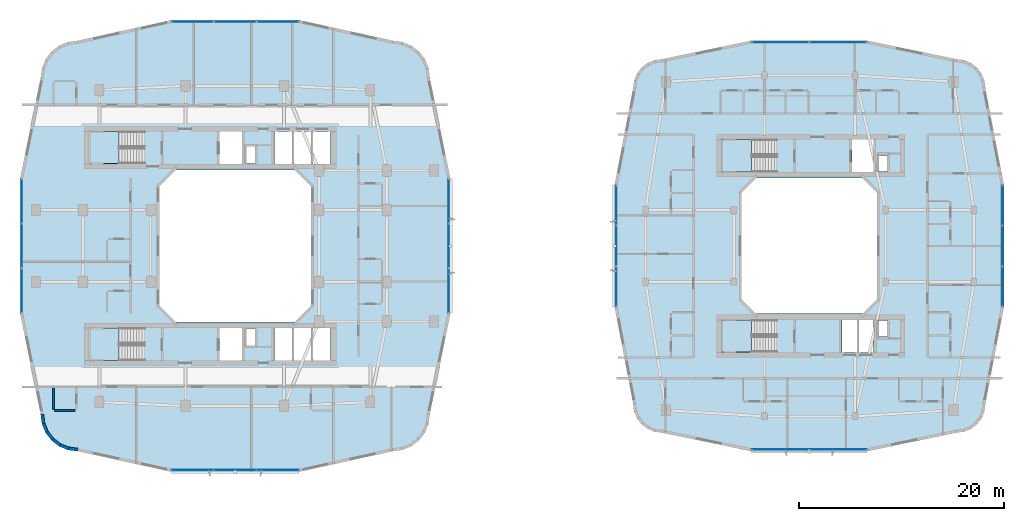
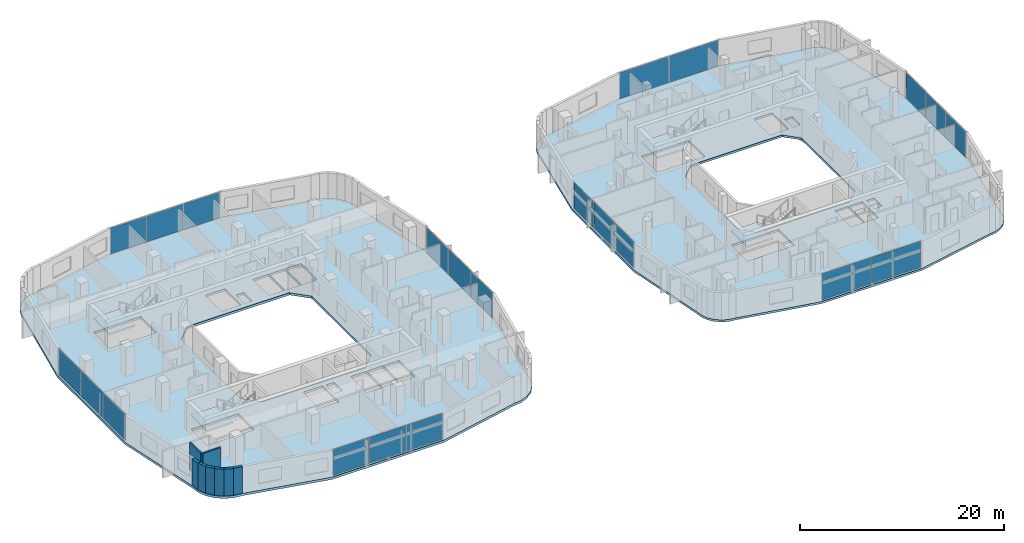
# One storey, part 12 of 27: 22 plates, 8 walls, 6 slabs, 12 elements without a shape of their own.
"""IFC4 building model written with IfcOpenShell, lengths in metres."""

from ifc_helpers import new_model, si_unit, derived_unit, direction, frame, frame_2d, origin, origin_2d, place, context, subcontext, project, spatial, polyline, rectangle, outline, extrude, material, layer, layer_set, type_object, element, aggregate, save


model = new_model("IFC4")

# Units and contexts
model_context = context("Model", 3, precision=1e-05, world=origin(), true_north=direction((0.0, 1.0)))
body_context = subcontext(model_context, "Body", "Model", "MODEL_VIEW")
ifc_project = project(units=[si_unit("LENGTHUNIT", "METRE"), si_unit("AREAUNIT", "SQUARE_METRE"), si_unit("VOLUMEUNIT", "CUBIC_METRE"), si_unit("PLANEANGLEUNIT", "RADIAN"), si_unit("MASSUNIT", "GRAM", prefix="KILO"), derived_unit("THERMALTRANSMITTANCEUNIT", [(si_unit("POWERUNIT", "WATT"), 1), (si_unit("LENGTHUNIT", "METRE"), -2), (si_unit("THERMODYNAMICTEMPERATUREUNIT", "KELVIN"), -1)])], contexts=[model_context])

# Site, building, storey
site_placement = place(None, origin())
site = spatial("IfcSite", under=ifc_project, at=site_placement, CompositionType="ELEMENT")
building_placement = place(site_placement, origin())
building = spatial("IfcBuilding", under=site, at=building_placement, Name="Kivonza Crest Hotel", CompositionType="ELEMENT")
storey_placement = place(building_placement, frame((0.0, 0.0, 73.0)))
storey = spatial("IfcBuildingStorey", under=building, at=storey_placement, Name="L19", CompositionType="ELEMENT", Elevation=73.0)

# Curtain wall, plates
ifc_material_1 = material(Name="Anodised bronze aluminium and low-E double glazing", Category="aluminium")
ifc_layer_1 = layer(ifc_material_1, 0.179931640625)
ifc_layer_set_1 = layer_set([ifc_layer_1], Name="Anodised bronze aluminium and low-E double glazing")
curtain_wall_type_1 = type_object("IfcCurtainWallType", Name="CW-SYS-2", PredefinedType="NOTDEFINED", material=ifc_layer_set_1)
curtain_wall_1_placement = place(storey_placement, origin())
curtain_wall_1 = element("IfcCurtainWall", 1, at=curtain_wall_1_placement, inside=storey, type_object=curtain_wall_type_1, Name="L19 unitised curtain wall CW-T1-L19-08", PredefinedType="NOTDEFINED")
ifc_material_2 = material(Name="Solar-control low-E double glazing", Category="glass")
ifc_layer_2 = layer(ifc_material_2, 0.028076171875)
ifc_layer_set_2 = layer_set([ifc_layer_2], Name="Solar-control low-E double glazing")
plate_type = type_object("IfcPlateType", Name="CW-PNL-28", PredefinedType="CURTAIN_PANEL", material=ifc_layer_set_2)
plate_1_placement = place(storey_placement, frame((16.890869140625, 3.159912109375, 0.06494140625), z_axis=(0.0, 0.0, 1.0), x_axis=(1.0, 0.0, 0.0)))
plate_1 = element("IfcPlate", 2, at=plate_1_placement, type_object=plate_type, Name="CW-2 panel 1.1", PredefinedType="CURTAIN_PANEL", context=body_context, shape_type="SweptSolid", body=[
    extrude(rectangle(XDim=4.06787109375, YDim=0.028076171875, at=origin_2d()), origin(), (0.0, 0.0, 1.0), 3.090087890625),
])
plate_2_placement = place(storey_placement, frame((21.0400390625, 3.159912109375, 0.06494140625), z_axis=(0.0, 0.0, 1.0), x_axis=(1.0, 0.0, 0.0)))
plate_2 = element("IfcPlate", 3, at=plate_2_placement, type_object=plate_type, Name="CW-2 panel 2.1", PredefinedType="CURTAIN_PANEL", context=body_context, shape_type="SweptSolid", body=[
    extrude(rectangle(XDim=4.100341796875, YDim=0.028076171875, at=origin_2d()), origin(), (0.0, 0.0, 1.0), 3.090087890625),
])
plate_3_placement = place(storey_placement, frame((25.18896484375, 3.159912109375, 0.06494140625), z_axis=(0.0, 0.0, 1.0), x_axis=(1.0, 0.0, 0.0)))
plate_3 = element("IfcPlate", 4, at=plate_3_placement, type_object=plate_type, Name="CW-2 panel 3.1", PredefinedType="CURTAIN_PANEL", context=body_context, shape_type="SweptSolid", body=[
    extrude(rectangle(XDim=4.06787109375, YDim=0.028076171875, at=origin_2d()), origin(), (0.0, 0.0, 1.0), 3.090087890625),
])
aggregate(curtain_wall_1, [plate_1, plate_2, plate_3])

curtain_wall_2_placement = place(storey_placement, origin())
curtain_wall_2 = element("IfcCurtainWall", 5, at=curtain_wall_2_placement, inside=storey, type_object=curtain_wall_type_1, Name="L19 unitised curtain wall CW-T1-L19-17", PredefinedType="NOTDEFINED")
plate_4_placement = place(storey_placement, frame((41.840087890625, 20.642822265625, 0.06494140625), z_axis=(0.0, 0.0, 1.0), x_axis=(0.0, 1.0, 0.0)))
plate_4 = element("IfcPlate", 6, at=plate_4_placement, type_object=plate_type, Name="CW-2 panel 1.1", PredefinedType="CURTAIN_PANEL", context=body_context, shape_type="SweptSolid", body=[
    extrude(rectangle(XDim=4.27587890625, YDim=0.028076171875, at=origin_2d()), origin(), (0.0, 0.0, 1.0), 3.090087890625),
])
plate_5_placement = place(storey_placement, frame((41.840087890625, 25.0, 0.06494140625), z_axis=(0.0, 0.0, 1.0), x_axis=(0.0, 1.0, 0.0)))
plate_5 = element("IfcPlate", 7, at=plate_5_placement, type_object=plate_type, Name="CW-2 panel 2.1", PredefinedType="CURTAIN_PANEL", context=body_context, shape_type="SweptSolid", body=[
    extrude(rectangle(XDim=4.308349609375, YDim=0.028076171875, at=origin_2d()), origin(), (0.0, 0.0, 1.0), 3.090087890625),
])
plate_6_placement = place(storey_placement, frame((41.840087890625, 29.357177734375, 0.06494140625), z_axis=(0.0, 0.0, 1.0), x_axis=(0.0, 1.0, 0.0)))
plate_6 = element("IfcPlate", 8, at=plate_6_placement, type_object=plate_type, Name="CW-2 panel 3.1", PredefinedType="CURTAIN_PANEL", context=body_context, shape_type="SweptSolid", body=[
    extrude(rectangle(XDim=4.27587890625, YDim=0.028076171875, at=origin_2d()), origin(), (0.0, 0.0, 1.0), 3.090087890625),
])
aggregate(curtain_wall_2, [plate_4, plate_5, plate_6])

curtain_wall_3_placement = place(storey_placement, origin())
curtain_wall_3 = element("IfcCurtainWall", 9, at=curtain_wall_3_placement, inside=storey, type_object=curtain_wall_type_1, Name="L19 unitised curtain wall CW-T1-L19-26", PredefinedType="NOTDEFINED")
plate_7_placement = place(storey_placement, frame((25.18896484375, 46.840087890625, 0.06494140625), z_axis=(0.0, 0.0, 1.0), x_axis=(-1.0, 0.0, 0.0)))
plate_7 = element("IfcPlate", 10, at=plate_7_placement, type_object=plate_type, Name="CW-2 panel 1.1", PredefinedType="CURTAIN_PANEL", context=body_context, shape_type="SweptSolid", body=[
    extrude(rectangle(XDim=4.06787109375, YDim=0.028076171875, at=origin_2d()), origin(), (0.0, 0.0, 1.0), 3.090087890625),
])
plate_8_placement = place(storey_placement, frame((21.0400390625, 46.840087890625, 0.06494140625), z_axis=(0.0, 0.0, 1.0), x_axis=(-1.0, 0.0, 0.0)))
plate_8 = element("IfcPlate", 11, at=plate_8_placement, type_object=plate_type, Name="CW-2 panel 2.1", PredefinedType="CURTAIN_PANEL", context=body_context, shape_type="SweptSolid", body=[
    extrude(rectangle(XDim=4.100341796875, YDim=0.028076171875, at=origin_2d()), origin(), (0.0, 0.0, 1.0), 3.090087890625),
])
plate_9_placement = place(storey_placement, frame((16.890869140625, 46.840087890625, 0.06494140625), z_axis=(0.0, 0.0, 1.0), x_axis=(-1.0, 0.0, 0.0)))
plate_9 = element("IfcPlate", 12, at=plate_9_placement, type_object=plate_type, Name="CW-2 panel 3.1", PredefinedType="CURTAIN_PANEL", context=body_context, shape_type="SweptSolid", body=[
    extrude(rectangle(XDim=4.06787109375, YDim=0.028076171875, at=origin_2d()), origin(), (0.0, 0.0, 1.0), 3.090087890625),
])
aggregate(curtain_wall_3, [plate_7, plate_8, plate_9])

curtain_wall_4_placement = place(storey_placement, origin())
curtain_wall_4 = element("IfcCurtainWall", 13, at=curtain_wall_4_placement, inside=storey, type_object=curtain_wall_type_1, Name="L19 unitised curtain wall CW-T1-L19-35", PredefinedType="NOTDEFINED")
plate_10_placement = place(storey_placement, frame((0.239990234375, 29.357177734375, 0.06494140625), z_axis=(0.0, 0.0, 1.0), x_axis=(0.0, -1.0, 0.0)))
plate_10 = element("IfcPlate", 14, at=plate_10_placement, type_object=plate_type, Name="CW-2 panel 1.1", PredefinedType="CURTAIN_PANEL", context=body_context, shape_type="SweptSolid", body=[
    extrude(rectangle(XDim=4.27587890625, YDim=0.028076171875, at=origin_2d()), origin(), (0.0, 0.0, 1.0), 3.090087890625),
])
plate_11_placement = place(storey_placement, frame((0.239990234375, 25.0, 0.06494140625), z_axis=(0.0, 0.0, 1.0), x_axis=(0.0, -1.0, 0.0)))
plate_11 = element("IfcPlate", 15, at=plate_11_placement, type_object=plate_type, Name="CW-2 panel 2.1", PredefinedType="CURTAIN_PANEL", context=body_context, shape_type="SweptSolid", body=[
    extrude(rectangle(XDim=4.308349609375, YDim=0.028076171875, at=origin_2d()), origin(), (0.0, 0.0, 1.0), 3.090087890625),
])
plate_12_placement = place(storey_placement, frame((0.239990234375, 20.642822265625, 0.06494140625), z_axis=(0.0, 0.0, 1.0), x_axis=(0.0, -1.0, 0.0)))
plate_12 = element("IfcPlate", 16, at=plate_12_placement, type_object=plate_type, Name="CW-2 panel 3.1", PredefinedType="CURTAIN_PANEL", context=body_context, shape_type="SweptSolid", body=[
    extrude(rectangle(XDim=4.27587890625, YDim=0.028076171875, at=origin_2d()), origin(), (0.0, 0.0, 1.0), 3.090087890625),
])
aggregate(curtain_wall_4, [plate_10, plate_11, plate_12])

ifc_layer_3 = layer(ifc_material_1, 0.179931640625)
ifc_layer_set_3 = layer_set([ifc_layer_3], Name="Anodised bronze aluminium and low-E double glazing")
curtain_wall_type_2 = type_object("IfcCurtainWallType", Name="CW-SYS-4", PredefinedType="NOTDEFINED", material=ifc_layer_set_3)
curtain_wall_5_placement = place(storey_placement, origin())
curtain_wall_5 = element("IfcCurtainWall", 17, at=curtain_wall_5_placement, inside=storey, type_object=curtain_wall_type_2, Name="L19 unitised curtain wall CW-T2-L19-08", PredefinedType="NOTDEFINED")
plate_13_placement = place(storey_placement, frame((74.15234375, 5.159912109375, 0.06494140625), z_axis=(0.0, 0.0, 1.0), x_axis=(1.0, 0.0, 0.0)))
plate_13 = element("IfcPlate", 18, at=plate_13_placement, type_object=plate_type, Name="CW-4 panel 1.1", PredefinedType="CURTAIN_PANEL", context=body_context, shape_type="SweptSolid", body=[
    extrude(rectangle(XDim=5.550537109375, YDim=0.028076171875, at=origin_2d()), origin(), (0.0, 0.0, 1.0), 3.1201171875),
])
plate_14_placement = place(storey_placement, frame((79.767822265625, 5.159912109375, 0.06494140625), z_axis=(0.0, 0.0, 1.0), x_axis=(1.0, 0.0, 0.0)))
plate_14 = element("IfcPlate", 19, at=plate_14_placement, type_object=plate_type, Name="CW-4 panel 2.1", PredefinedType="CURTAIN_PANEL", context=body_context, shape_type="SweptSolid", body=[
    extrude(rectangle(XDim=5.550537109375, YDim=0.028076171875, at=origin_2d()), origin(), (0.0, 0.0, 1.0), 3.1201171875),
])
aggregate(curtain_wall_5, [plate_13, plate_14])

curtain_wall_6_placement = place(storey_placement, origin())
curtain_wall_6 = element("IfcCurtainWall", 20, at=curtain_wall_6_placement, inside=storey, type_object=curtain_wall_type_2, Name="L19 unitised curtain wall CW-T2-L19-17", PredefinedType="NOTDEFINED")
plate_15_placement = place(storey_placement, frame((95.760009765625, 21.04296875, 0.06494140625), z_axis=(0.0, 0.0, 1.0), x_axis=(0.0, 1.0, 0.0)))
plate_15 = element("IfcPlate", 21, at=plate_15_placement, type_object=plate_type, Name="CW-4 panel 1.1", PredefinedType="CURTAIN_PANEL", context=body_context, shape_type="SweptSolid", body=[
    extrude(rectangle(XDim=3.875732421875, YDim=0.028076171875, at=origin_2d()), origin(), (0.0, 0.0, 1.0), 3.1201171875),
])
plate_16_placement = place(storey_placement, frame((95.760009765625, 25.0, 0.06494140625), z_axis=(0.0, 0.0, 1.0), x_axis=(0.0, 1.0, 0.0)))
plate_16 = element("IfcPlate", 22, at=plate_16_placement, type_object=plate_type, Name="CW-4 panel 2.1", PredefinedType="CURTAIN_PANEL", context=body_context, shape_type="SweptSolid", body=[
    extrude(rectangle(XDim=3.908447265625, YDim=0.028076171875, at=origin_2d()), origin(), (0.0, 0.0, 1.0), 3.1201171875),
])
plate_17_placement = place(storey_placement, frame((95.760009765625, 28.95703125, 0.06494140625), z_axis=(0.0, 0.0, 1.0), x_axis=(0.0, 1.0, 0.0)))
plate_17 = element("IfcPlate", 23, at=plate_17_placement, type_object=plate_type, Name="CW-4 panel 3.1", PredefinedType="CURTAIN_PANEL", context=body_context, shape_type="SweptSolid", body=[
    extrude(rectangle(XDim=3.875732421875, YDim=0.028076171875, at=origin_2d()), origin(), (0.0, 0.0, 1.0), 3.1201171875),
])
aggregate(curtain_wall_6, [plate_15, plate_16, plate_17])

curtain_wall_7_placement = place(storey_placement, origin())
curtain_wall_7 = element("IfcCurtainWall", 24, at=curtain_wall_7_placement, inside=storey, type_object=curtain_wall_type_2, Name="L19 unitised curtain wall CW-T2-L19-26", PredefinedType="NOTDEFINED")
plate_18_placement = place(storey_placement, frame((79.767822265625, 44.840087890625, 0.06494140625), z_axis=(0.0, 0.0, 1.0), x_axis=(-1.0, 0.0, 0.0)))
plate_18 = element("IfcPlate", 25, at=plate_18_placement, type_object=plate_type, Name="CW-4 panel 1.1", PredefinedType="CURTAIN_PANEL", context=body_context, shape_type="SweptSolid", body=[
    extrude(rectangle(XDim=5.550537109375, YDim=0.028076171875, at=origin_2d()), origin(), (0.0, 0.0, 1.0), 3.1201171875),
])
plate_19_placement = place(storey_placement, frame((74.15234375, 44.840087890625, 0.06494140625), z_axis=(0.0, 0.0, 1.0), x_axis=(-1.0, 0.0, 0.0)))
plate_19 = element("IfcPlate", 26, at=plate_19_placement, type_object=plate_type, Name="CW-4 panel 2.1", PredefinedType="CURTAIN_PANEL", context=body_context, shape_type="SweptSolid", body=[
    extrude(rectangle(XDim=5.550537109375, YDim=0.028076171875, at=origin_2d()), origin(), (0.0, 0.0, 1.0), 3.1201171875),
])
aggregate(curtain_wall_7, [plate_18, plate_19])

curtain_wall_8_placement = place(storey_placement, origin())
curtain_wall_8 = element("IfcCurtainWall", 27, at=curtain_wall_8_placement, inside=storey, type_object=curtain_wall_type_2, Name="L19 unitised curtain wall CW-T2-L19-35", PredefinedType="NOTDEFINED")
plate_20_placement = place(storey_placement, frame((58.159912109375, 28.95703125, 0.06494140625), z_axis=(0.0, 0.0, 1.0), x_axis=(0.0, -1.0, 0.0)))
plate_20 = element("IfcPlate", 28, at=plate_20_placement, type_object=plate_type, Name="CW-4 panel 1.1", PredefinedType="CURTAIN_PANEL", context=body_context, shape_type="SweptSolid", body=[
    extrude(rectangle(XDim=3.875732421875, YDim=0.028076171875, at=origin_2d()), origin(), (0.0, 0.0, 1.0), 3.1201171875),
])
plate_21_placement = place(storey_placement, frame((58.159912109375, 25.0, 0.06494140625), z_axis=(0.0, 0.0, 1.0), x_axis=(0.0, -1.0, 0.0)))
plate_21 = element("IfcPlate", 29, at=plate_21_placement, type_object=plate_type, Name="CW-4 panel 2.1", PredefinedType="CURTAIN_PANEL", context=body_context, shape_type="SweptSolid", body=[
    extrude(rectangle(XDim=3.908447265625, YDim=0.028076171875, at=origin_2d()), origin(), (0.0, 0.0, 1.0), 3.1201171875),
])
plate_22_placement = place(storey_placement, frame((58.159912109375, 21.04296875, 0.06494140625), z_axis=(0.0, 0.0, 1.0), x_axis=(0.0, -1.0, 0.0)))
plate_22 = element("IfcPlate", 30, at=plate_22_placement, type_object=plate_type, Name="CW-4 panel 3.1", PredefinedType="CURTAIN_PANEL", context=body_context, shape_type="SweptSolid", body=[
    extrude(rectangle(XDim=3.875732421875, YDim=0.028076171875, at=origin_2d()), origin(), (0.0, 0.0, 1.0), 3.1201171875),
])
aggregate(curtain_wall_8, [plate_20, plate_21, plate_22])

# Slab
ifc_material_3 = material(Name="Concrete C40/50", Category="concrete")
ifc_layer_4 = layer(ifc_material_3, 0.280029296875)
ifc_layer_set_4 = layer_set([ifc_layer_4], Name="Concrete C40/50")
slab_type_1 = type_object("IfcSlabType", Name="SL-HTL-280", PredefinedType="FLOOR", material=ifc_layer_set_4)
slab_1_placement = place(storey_placement, frame((0.0, 0.0, -0.280029296875)))
element("IfcSlab", 31, at=slab_1_placement, inside=storey, type_object=slab_type_1, Name="Tower T1 L19 floor slab", PredefinedType="FLOOR", context=body_context, shape_type="SweptSolid", body=[
    extrude(outline(polyline([(2.080078125, 8.60009765625), (2.202880859375, 7.66796875), (2.56201171875, 6.800048828125), (3.134033203125, 6.053955078125), (3.8798828125, 5.48193359375), (4.748046875, 5.123046875), (5.679931640625, 5.0), (14.751953125, 3.0), (27.327880859375, 3.0), (36.39990234375, 5.0), (37.33203125, 5.123046875), (38.199951171875, 5.48193359375), (38.946044921875, 6.053955078125), (39.51806640625, 6.800048828125), (39.876953125, 7.66796875), (40.0, 8.60009765625), (42.0, 18.39990234375), (42.0, 31.60009765625), (40.0, 41.39990234375), (39.876953125, 42.33203125), (39.51806640625, 43.199951171875), (38.946044921875, 43.946044921875), (38.199951171875, 44.51806640625), (37.33203125, 44.876953125), (36.39990234375, 45.0), (27.327880859375, 47.0), (14.751953125, 47.0), (5.679931640625, 45.0), (4.748046875, 44.876953125), (3.8798828125, 44.51806640625), (3.134033203125, 43.946044921875), (2.56201171875, 43.199951171875), (2.202880859375, 42.33203125), (2.080078125, 41.39990234375), (0.080078125, 31.60009765625), (0.080078125, 18.39990234375), (2.080078125, 8.60009765625)]), holes=[polyline([(15.239990234375, 17.60009765625), (26.840087890625, 17.60009765625), (28.43994140625, 19.199951171875), (28.43994140625, 30.800048828125), (26.840087890625, 32.39990234375), (15.239990234375, 32.39990234375), (13.639892578125, 30.800048828125), (13.639892578125, 19.199951171875), (15.239990234375, 17.60009765625)]), polyline([(6.800048828125, 33.02001953125), (12.159912109375, 33.02001953125), (12.159912109375, 36.159912109375), (6.800048828125, 36.159912109375), (6.800048828125, 33.02001953125)]), polyline([(6.800048828125, 13.860107421875), (12.159912109375, 13.860107421875), (12.159912109375, 17.0), (6.800048828125, 17.0), (6.800048828125, 13.860107421875)]), polyline([(22.080078125, 33.0400390625), (22.969970703125, 33.0400390625), (22.969970703125, 34.679931640625), (22.080078125, 34.679931640625), (22.080078125, 33.0400390625)]), polyline([(22.080078125, 15.320068359375), (22.969970703125, 15.320068359375), (22.969970703125, 16.9599609375), (22.080078125, 16.9599609375), (22.080078125, 15.320068359375)]), polyline([(19.5, 33.0), (21.699951171875, 33.0), (21.699951171875, 36.159912109375), (19.5, 36.159912109375), (19.5, 33.0)]), polyline([(24.860107421875, 33.0), (26.60693359375, 33.0), (26.60693359375, 36.159912109375), (24.860107421875, 36.159912109375), (24.860107421875, 33.0)]), polyline([(26.72705078125, 33.0), (28.472900390625, 33.0), (28.472900390625, 36.159912109375), (26.72705078125, 36.159912109375), (26.72705078125, 33.0)]), polyline([(28.593017578125, 33.0), (30.340087890625, 33.0), (30.340087890625, 36.159912109375), (28.593017578125, 36.159912109375), (28.593017578125, 33.0)]), polyline([(19.5, 13.840087890625), (21.699951171875, 13.840087890625), (21.699951171875, 17.0), (19.5, 17.0), (19.5, 13.840087890625)]), polyline([(24.860107421875, 13.840087890625), (26.60693359375, 13.840087890625), (26.60693359375, 17.0), (24.860107421875, 17.0), (24.860107421875, 13.840087890625)]), polyline([(26.72705078125, 13.840087890625), (28.472900390625, 13.840087890625), (28.472900390625, 17.0), (26.72705078125, 17.0), (26.72705078125, 13.840087890625)]), polyline([(28.593017578125, 13.840087890625), (30.340087890625, 13.840087890625), (30.340087890625, 17.0), (28.593017578125, 17.0), (28.593017578125, 13.840087890625)])]), origin(), (0.0, 0.0, 1.0), 0.280029296875),
])

# Stair, slab
stair_type = type_object("IfcStairType", Name="ST-DL-20R", PredefinedType="HALF_TURN_STAIR", material=ifc_material_3)
stair_1_placement = place(storey_placement, origin())
stair_1 = element("IfcStair", 32, at=stair_1_placement, inside=storey, type_object=stair_type, Name="L19 Protected Exit Stair ST-T1-N", PredefinedType="HALF_TURN_STAIR")
ifc_layer_5 = layer(ifc_material_3, 0.199951171875)
ifc_layer_set_5 = layer_set([ifc_layer_5], Name="Concrete C40/50")
slab_type_2 = type_object("IfcSlabType", Name="SL-LAND-200", PredefinedType="LANDING", material=ifc_layer_set_5)
slab_2_placement = place(storey_placement, frame((0.0, 0.0, 1.550048828125)))
slab_2 = element("IfcSlab", 33, at=slab_2_placement, type_object=slab_type_2, Name="ST-T1-N landing 1", PredefinedType="LANDING", context=body_context, shape_type="SweptSolid", body=[
    extrude(outline(polyline([(9.719970703125, 36.159912109375), (6.800048828125, 36.159912109375), (6.800048828125, 33.02001953125), (9.719970703125, 33.02001953125), (9.719970703125, 36.159912109375)])), origin(), (0.0, 0.0, 1.0), 0.199951171875),
])
aggregate(stair_1, [slab_2])

stair_2_placement = place(storey_placement, origin())
stair_2 = element("IfcStair", 34, at=stair_2_placement, inside=storey, type_object=stair_type, Name="L19 Protected Exit Stair ST-T1-S", PredefinedType="HALF_TURN_STAIR")
slab_3_placement = place(storey_placement, frame((0.0, 0.0, 1.550048828125)))
slab_3 = element("IfcSlab", 35, at=slab_3_placement, type_object=slab_type_2, Name="ST-T1-S landing 1", PredefinedType="LANDING", context=body_context, shape_type="SweptSolid", body=[
    extrude(outline(polyline([(9.719970703125, 17.0), (6.800048828125, 17.0), (6.800048828125, 13.860107421875), (9.719970703125, 13.860107421875), (9.719970703125, 17.0)])), origin(), (0.0, 0.0, 1.0), 0.199951171875),
])
aggregate(stair_2, [slab_3])

stair_3_placement = place(storey_placement, origin())
stair_3 = element("IfcStair", 36, at=stair_3_placement, inside=storey, type_object=stair_type, Name="L19 Protected Exit Stair ST-T2-N", PredefinedType="HALF_TURN_STAIR")
slab_4_placement = place(storey_placement, frame((0.0, 0.0, 1.550048828125)))
slab_4 = element("IfcSlab", 37, at=slab_4_placement, type_object=slab_type_2, Name="ST-T2-N landing 1", PredefinedType="LANDING", context=body_context, shape_type="SweptSolid", body=[
    extrude(outline(polyline([(71.320068359375, 35.360107421875), (68.39990234375, 35.360107421875), (68.39990234375, 32.219970703125), (71.320068359375, 32.219970703125), (71.320068359375, 35.360107421875)])), origin(), (0.0, 0.0, 1.0), 0.199951171875),
])
aggregate(stair_3, [slab_4])

stair_4_placement = place(storey_placement, origin())
stair_4 = element("IfcStair", 38, at=stair_4_placement, inside=storey, type_object=stair_type, Name="L19 Protected Exit Stair ST-T2-S", PredefinedType="HALF_TURN_STAIR")
slab_5_placement = place(storey_placement, frame((0.0, 0.0, 1.550048828125)))
slab_5 = element("IfcSlab", 39, at=slab_5_placement, type_object=slab_type_2, Name="ST-T2-S landing 1", PredefinedType="LANDING", context=body_context, shape_type="SweptSolid", body=[
    extrude(outline(polyline([(71.320068359375, 17.800048828125), (68.39990234375, 17.800048828125), (68.39990234375, 14.659912109375), (71.320068359375, 14.659912109375), (71.320068359375, 17.800048828125)])), origin(), (0.0, 0.0, 1.0), 0.199951171875),
])
aggregate(stair_4, [slab_5])

# Slab
ifc_layer_6 = layer(ifc_material_3, 0.25)
ifc_layer_set_6 = layer_set([ifc_layer_6], Name="Concrete C40/50")
slab_type_3 = type_object("IfcSlabType", Name="SL-RES-250", PredefinedType="FLOOR", material=ifc_layer_set_6)
slab_6_placement = place(storey_placement, frame((0.0, 0.0, -0.25)))
element("IfcSlab", 40, at=slab_6_placement, inside=storey, type_object=slab_type_3, Name="Companion Tower T2 L19 floor slab", PredefinedType="FLOOR", context=body_context, shape_type="SweptSolid", body=[
    extrude(outline(polyline([(59.800048828125, 9.60009765625), (59.89501953125, 8.875), (60.175048828125, 8.199951171875), (60.6201171875, 7.6201171875), (61.199951171875, 7.175048828125), (61.875, 6.89501953125), (62.60009765625, 6.800048828125), (71.27197265625, 5.0), (82.64794921875, 5.0), (91.320068359375, 6.800048828125), (92.044921875, 6.89501953125), (92.719970703125, 7.175048828125), (93.300048828125, 7.6201171875), (93.7451171875, 8.199951171875), (94.02490234375, 8.875), (94.1201171875, 9.60009765625), (95.919921875, 19.0), (95.919921875, 31.0), (94.1201171875, 40.39990234375), (94.02490234375, 41.125), (93.7451171875, 41.800048828125), (93.300048828125, 42.3798828125), (92.719970703125, 42.824951171875), (92.044921875, 43.10498046875), (91.320068359375, 43.199951171875), (82.64794921875, 45.0), (71.27197265625, 45.0), (62.60009765625, 43.199951171875), (61.875, 43.10498046875), (61.199951171875, 42.824951171875), (60.6201171875, 42.3798828125), (60.175048828125, 41.800048828125), (59.89501953125, 41.125), (59.800048828125, 40.39990234375), (58.0, 31.0), (58.0, 19.0), (59.800048828125, 9.60009765625)]), holes=[polyline([(71.760009765625, 18.39990234375), (82.159912109375, 18.39990234375), (83.56005859375, 19.800048828125), (83.56005859375, 30.199951171875), (82.159912109375, 31.60009765625), (71.760009765625, 31.60009765625), (70.360107421875, 30.199951171875), (70.360107421875, 19.800048828125), (71.760009765625, 18.39990234375)]), polyline([(68.39990234375, 32.219970703125), (73.760009765625, 32.219970703125), (73.760009765625, 35.360107421875), (68.39990234375, 35.360107421875), (68.39990234375, 32.219970703125)]), polyline([(68.39990234375, 14.659912109375), (73.760009765625, 14.659912109375), (73.760009765625, 17.800048828125), (68.39990234375, 17.800048828125), (68.39990234375, 14.659912109375)]), polyline([(83.679931640625, 32.239990234375), (84.570068359375, 32.239990234375), (84.570068359375, 33.820068359375), (83.679931640625, 33.820068359375), (83.679931640625, 32.239990234375)]), polyline([(83.679931640625, 16.179931640625), (84.570068359375, 16.179931640625), (84.570068359375, 17.760009765625), (83.679931640625, 17.760009765625), (83.679931640625, 16.179931640625)]), polyline([(81.10009765625, 32.199951171875), (83.199951171875, 32.199951171875), (83.199951171875, 35.360107421875), (81.10009765625, 35.360107421875), (81.10009765625, 32.199951171875)]), polyline([(80.159912109375, 14.639892578125), (81.639892578125, 14.639892578125), (81.639892578125, 17.800048828125), (80.159912109375, 17.800048828125), (80.159912109375, 14.639892578125)]), polyline([(81.760009765625, 14.639892578125), (83.239990234375, 14.639892578125), (83.239990234375, 17.800048828125), (81.760009765625, 17.800048828125), (81.760009765625, 14.639892578125)])]), origin(), (0.0, 0.0, 1.0), 0.25),
])

# Walls
ifc_material_4 = material(Name="Precast concrete C40/50", Category="concrete")
ifc_layer_7 = layer(ifc_material_4, 0.300048828125)
ifc_layer_set_7 = layer_set([ifc_layer_7], Name="Precast concrete C40/50")
wall_type_1 = type_object("IfcWallType", Name="WL-EXT-300", PredefinedType="STANDARD", material=ifc_layer_set_7)
wall_1_placement = place(storey_placement, frame((2.22802734375, 8.6279296875, 0.0), z_axis=(0.0, 0.0, 1.0), x_axis=(0.131174864804, -0.991359246108, 0.0)))
element("IfcWall", 41, at=wall_1_placement, inside=storey, type_object=wall_type_1, Name="L19 T1 exterior insulated wall 1", PredefinedType="STANDARD", context=body_context, shape_type="SweptSolid", body=[
    extrude(rectangle(XDim=0.93798828125, YDim=0.300048828125, at=frame_2d((0.468994140625, 0.0))), origin(), (0.0, 0.0, 1.0), 3.219970703125),
])
wall_2_placement = place(storey_placement, frame((2.33203125, 7.748046875, 0.0), z_axis=(0.0, 0.0, 1.0), x_axis=(0.382344263057, -0.924019948111, 0.0)))
element("IfcWall", 42, at=wall_2_placement, inside=storey, type_object=wall_type_1, Name="L19 T1 exterior insulated wall 2", PredefinedType="STANDARD", context=body_context, shape_type="SweptSolid", body=[
    extrude(rectangle(XDim=0.95458984375, YDim=0.300048828125, at=frame_2d((0.477294921875, 0.0))), origin(), (0.0, 0.0, 1.0), 3.219970703125),
])
for number, where, z_axis, x_axis, name in (
    (43, (2.666015625, 6.910888671875, 0.0), (0.0, 0.0, 1.0), (0.608474481025, -0.793573440799, 0.0), "L19 T1 exterior insulated wall 3"),
    (44, (3.205078125, 6.18798828125, 0.0), (0.0, 0.0, 1.0), (0.793573440799, -0.608474481025, 0.0), "L19 T1 exterior insulated wall 4"),
):
    element("IfcWall", number, at=place(storey_placement, frame(where, z_axis=z_axis, x_axis=x_axis)), inside=storey, type_object=wall_type_1, Name=name, PredefinedType="STANDARD", context=body_context, shape_type="SweptSolid", body=[
        extrude(rectangle(XDim=0.954833984375, YDim=0.300048828125, at=frame_2d((0.4775390625, 0.0))), origin(), (0.0, 0.0, 1.0), 3.219970703125),
    ])
wall_3_placement = place(storey_placement, frame((3.9140625, 5.631103515625, 0.0), z_axis=(0.0, 0.0, 1.0), x_axis=(0.923982547689, -0.382434636986, 0.0)))
element("IfcWall", 45, at=wall_3_placement, inside=storey, type_object=wall_type_1, Name="L19 T1 exterior insulated wall 5", PredefinedType="STANDARD", context=body_context, shape_type="SweptSolid", body=[
    extrude(rectangle(XDim=0.954345703125, YDim=0.300048828125, at=frame_2d((0.47705078125, 0.0))), origin(), (0.0, 0.0, 1.0), 3.219970703125),
])
wall_4_placement = place(storey_placement, frame((4.742919921875, 5.27490234375, 0.0), z_axis=(0.0, 0.0, 1.0), x_axis=(0.99145856342, -0.130422072598, 0.0)))
element("IfcWall", 46, at=wall_4_placement, inside=storey, type_object=wall_type_1, Name="L19 T1 exterior insulated wall 6", PredefinedType="STANDARD", context=body_context, shape_type="SweptSolid", body=[
    extrude(rectangle(XDim=0.973388671875, YDim=0.300048828125, at=frame_2d((0.48681640625, 0.0))), origin(), (0.0, 0.0, 1.0), 3.219970703125),
])
ifc_material_5 = material(Name="Moisture-resistant plumbing chase partition wall", Category="gypsum")
ifc_layer_8 = layer(ifc_material_5, 0.199951171875)
ifc_layer_set_8 = layer_set([ifc_layer_8], Name="Moisture-resistant plumbing chase partition wall")
wall_type_2 = type_object("IfcWallType", Name="WL-PLUMB-200", PredefinedType="PLUMBINGWALL", material=ifc_layer_set_8)
wall_5_placement = place(storey_placement, frame((3.449951171875, 8.949951171875, 0.0), z_axis=(0.0, 0.0, 1.0), x_axis=(1.0, 0.0, 0.0)))
element("IfcWall", 47, at=wall_5_placement, inside=storey, type_object=wall_type_2, Name="L19 interior partition WW-L19-S02-BH", PredefinedType="PLUMBINGWALL", context=body_context, shape_type="SweptSolid", body=[
    extrude(rectangle(XDim=2.0, YDim=0.199951171875, at=frame_2d((1.0, 0.0))), origin(), (0.0, 0.0, 1.0), 3.219970703125),
])
wall_6_placement = place(storey_placement, frame((3.35009765625, 9.050048828125, 0.0), z_axis=(0.0, 0.0, 1.0), x_axis=(0.0, 1.0, 0.0)))
element("IfcWall", 48, at=wall_6_placement, inside=storey, type_object=wall_type_2, Name="L19 interior partition WW-L19-S02-BVW", PredefinedType="PLUMBINGWALL", context=body_context, shape_type="SweptSolid", body=[
    extrude(rectangle(XDim=2.099853515625, YDim=0.199951171875, at=frame_2d((1.0498046875, 0.0))), origin(), (0.0, 0.0, 1.0), 3.219970703125),
])

save(model, "model.ifc")
